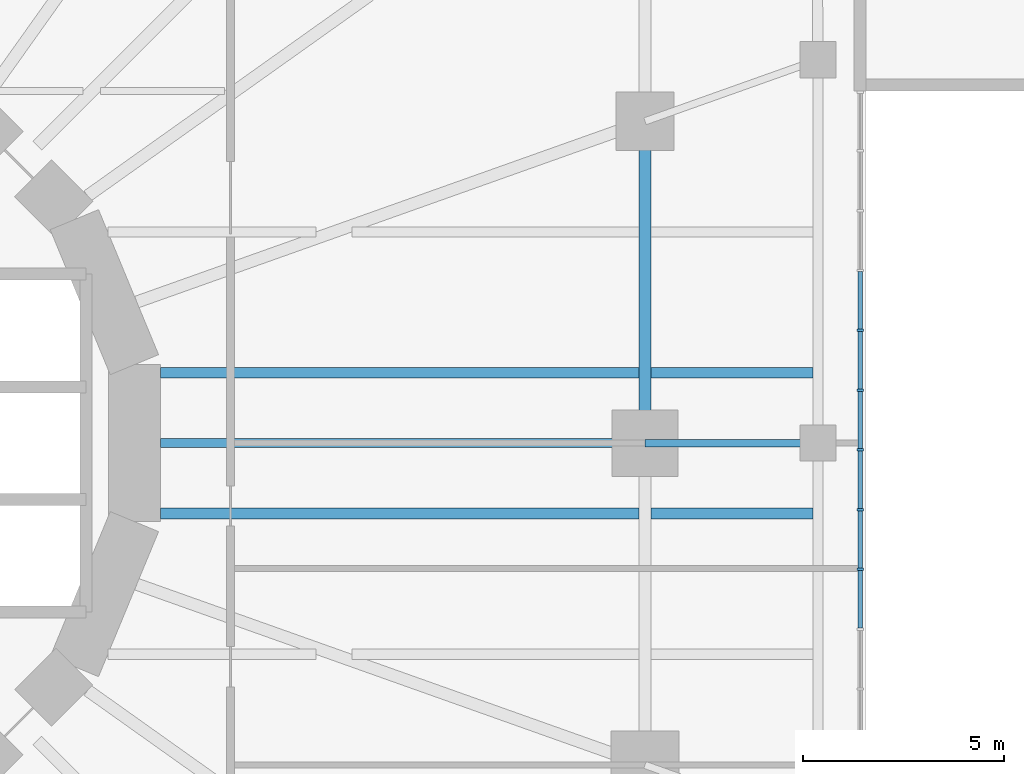
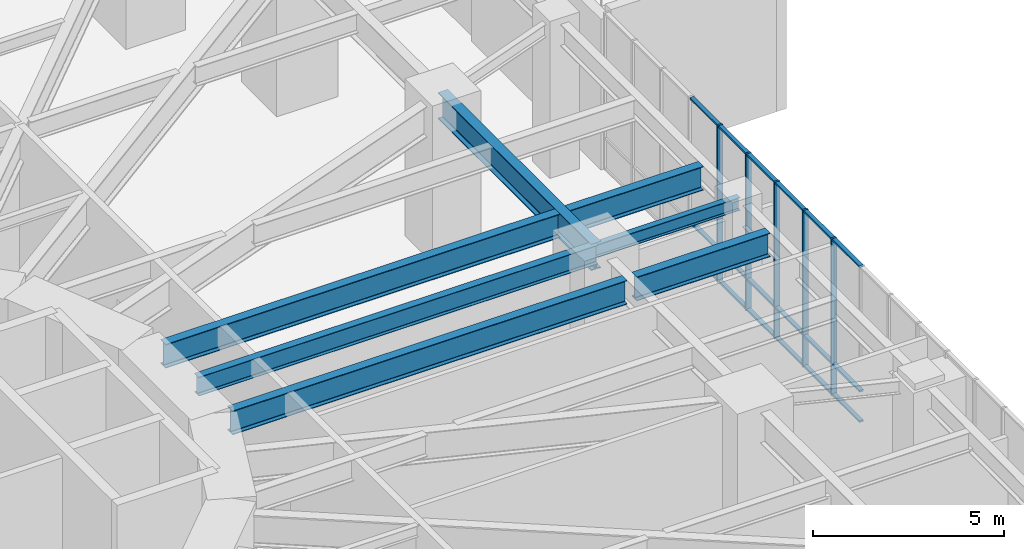
# One storey, part 8 of 24: 23 members, 7 beams, 1 element without a shape of its own.
"""IFC4 building model written with IfcOpenShell, lengths in metres."""

import ifcopenshell
import ifcopenshell.guid

model = None  # the IFC model being written
_history = None  # IfcOwnerHistory: only IFC2X3 demands one
_inside = {}  # id of a spatial element -> (the spatial element, [elements in it])
_under = {}  # id of a project, library or spatial element -> (it, [spatial elements below it])
_declared = {}  # id of a project -> (the project, [libraries it declares])
_typed = {}  # id of a type object -> (the type object, [elements of that type])
_made_of = {}  # id of a material, layer set ... -> (it, [elements and type objects made of it])


def new_model(schema):
    """Start an empty IFC model of exactly this schema.

    Asked for "IFC4X3", IfcOpenShell would pick the latest addendum, in which some entities
    have other attributes; the version numbers below select the first issue.
    IFC2X3 requires an IfcOwnerHistory on every rooted entity: one is made here for all.
    """
    global model, _history
    if schema == "IFC4X3":
        model = ifcopenshell.file(schema_version=(4, 3, 0, 0))
    else:
        model = ifcopenshell.file(schema=schema)
    _inside.clear()
    _under.clear()
    _declared.clear()
    _typed.clear()
    _made_of.clear()
    _history = None
    if model.schema == "IFC2X3":
        org = make("IfcOrganization", Name="unknown")
        user = make(
            "IfcPersonAndOrganization",
            ThePerson=make("IfcPerson", FamilyName="unknown"),
            TheOrganization=org,
        )
        app = make(
            "IfcApplication",
            ApplicationDeveloper=org,
            Version="unknown",
            ApplicationFullName="unknown",
            ApplicationIdentifier="unknown",
        )
        _history = make(
            "IfcOwnerHistory",
            OwningUser=user,
            OwningApplication=app,
            ChangeAction="ADDED",
            CreationDate=0,
        )
    return model


def make(cls, **values):
    """One entity of the class cls with the attributes given. An attribute that is None is left unset."""
    return model.create_entity(
        cls, **{name: value for name, value in values.items() if value is not None}
    )


def rooted(cls, **values):
    """An entity with a GlobalId (a new one), such as an element, a storey or a relation."""
    return make(cls, GlobalId=ifcopenshell.guid.new(), OwnerHistory=_history, **values)


def si_unit(unit_type, name, prefix=None):
    """IfcSIUnit, for example si_unit("LENGTHUNIT", "METRE", prefix="MILLI")."""
    return make("IfcSIUnit", UnitType=unit_type, Prefix=prefix, Name=name)


def assignment(units):
    """IfcUnitAssignment: the units of a project."""
    return None if units is None else make("IfcUnitAssignment", Units=units)


def point(xyz):
    """IfcCartesianPoint."""
    return None if xyz is None else make("IfcCartesianPoint", Coordinates=xyz)


def direction(xyz):
    """IfcDirection."""
    return None if xyz is None else make("IfcDirection", DirectionRatios=xyz)


def frame(location, z_axis=None, x_axis=None):
    """IfcAxis2Placement3D, a coordinate frame: its origin and axes. An axis left out is left unset."""
    return make(
        "IfcAxis2Placement3D",
        Location=point(location),
        Axis=direction(z_axis),
        RefDirection=direction(x_axis),
    )


def frame_2d(location, x_axis=None):
    """IfcAxis2Placement2D, a coordinate frame in the plane: its origin and x axis."""
    return make(
        "IfcAxis2Placement2D", Location=point(location), RefDirection=direction(x_axis)
    )


def origin():
    """The frame at (0, 0, 0) with its axes left unset."""
    return frame((0.0, 0.0, 0.0))


def origin_2d():
    """The frame at (0, 0) in the plane with its x axis left unset."""
    return frame_2d((0.0, 0.0))


def place(relative_to, where):
    """IfcLocalPlacement: puts the frame where relative to a parent placement (None: the world)."""
    return make(
        "IfcLocalPlacement", PlacementRelTo=relative_to, RelativePlacement=where
    )


def context(
    kind, dimensions, precision=None, world=None, true_north=None, identifier=None
):
    """IfcGeometricRepresentationContext, for example the 3D "Model" context."""
    return make(
        "IfcGeometricRepresentationContext",
        ContextIdentifier=identifier,
        ContextType=kind,
        CoordinateSpaceDimension=dimensions,
        Precision=precision,
        WorldCoordinateSystem=world,
        TrueNorth=true_north,
    )


def subcontext(parent, identifier, kind, view, scale=None):
    """IfcGeometricRepresentationSubContext, for example "Body" below "Model"."""
    return make(
        "IfcGeometricRepresentationSubContext",
        ContextIdentifier=identifier,
        ContextType=kind,
        ParentContext=parent,
        TargetScale=scale,
        TargetView=view,
    )


def project(units=None, contexts=None):
    """IfcProject with its units and contexts."""
    return rooted(
        "IfcProject",
        Name="project",
        RepresentationContexts=contexts,
        UnitsInContext=assignment(units),
    )


def spatial(cls, under=None, at=None, **own):
    """A site, building, storey or space (cls), placed at a placement, below another one or the project."""
    s = rooted(cls, ObjectPlacement=at, **own)
    if under is not None:
        _under.setdefault(under.id(), (under, []))[1].append(s)
    return s


def profile(cls, at=None, kind="AREA", **sizes):
    """A parametric profile (cls). Its sizes go by their IFC names, for example OverallWidth=200.0."""
    return make(cls, ProfileType=kind, Position=at, **sizes)


def rectangle(**sizes):
    """IfcRectangleProfileDef."""
    return profile("IfcRectangleProfileDef", **sizes)


def i_section(**sizes):
    """IfcIShapeProfileDef."""
    return profile("IfcIShapeProfileDef", **sizes)


def extrude(swept, where, along, depth):
    """IfcExtrudedAreaSolid: the profile swept, set in the frame where, extruded along a direction by depth."""
    return make(
        "IfcExtrudedAreaSolid",
        SweptArea=swept,
        Position=where,
        ExtrudedDirection=direction(along),
        Depth=depth,
    )


def shape(context_of_items, identifier, shape_type, items):
    """IfcShapeRepresentation: the items that make up one representation, for example the "Body"."""
    return make(
        "IfcShapeRepresentation",
        ContextOfItems=context_of_items,
        RepresentationIdentifier=identifier,
        RepresentationType=shape_type,
        Items=items,
    )


def material(Name=None, Category=None):
    """IfcMaterial."""
    return make("IfcMaterial", Name=Name, Category=Category)


def material_profile(
    of_material, cross_section, Name=None, Category=None, Priority=None
):
    """IfcMaterialProfile: a cross section and its material."""
    return make(
        "IfcMaterialProfile",
        Name=Name,
        Material=of_material,
        Profile=cross_section,
        Priority=Priority,
        Category=Category,
    )


def profile_set(profiles, Name=None, composite=None):
    """IfcMaterialProfileSet."""
    return make(
        "IfcMaterialProfileSet",
        Name=Name,
        MaterialProfiles=profiles,
        CompositeProfile=composite,
    )


def made_of(thing, what):
    """Note that an element or type object is made of a material, layer set ...; save() writes the relation."""
    if what is not None:
        _made_of.setdefault(what.id(), (what, []))[1].append(thing)
    return thing


def type_object(cls, material=None, **own):
    """A type object (cls), such as IfcWallType, which elements share."""
    return made_of(rooted(cls, **own), material)


def element(
    cls,
    number,
    at=None,
    inside=None,
    cuts=None,
    type_object=None,
    material=None,
    context=None,
    identifier="Body",
    shape_type=None,
    held_by="IfcProductDefinitionShape",
    body=None,
    shapes=None,
    **own,
):
    """One element of the class cls, such as IfcWall. Its Tag is "e" and its number.

    at: its placement. inside: the storey or other place that contains it. cuts: it is an
    opening in that element (IfcRelVoidsElement). A single representation is given by context,
    identifier, shape_type and body (its items); several are given by shapes. held_by: the class
    of the entity that holds the representations. save() writes the other relations.
    """
    e = rooted(cls, Tag="e%d" % number, ObjectPlacement=at, **own)
    if body is not None:
        shapes = [shape(context, identifier, shape_type, body)]
    if shapes is not None:
        e.Representation = make(held_by, Representations=shapes)
    if inside is not None:
        _inside.setdefault(inside.id(), (inside, []))[1].append(e)
    if cuts is not None:
        rooted(
            "IfcRelVoidsElement", RelatingBuildingElement=cuts, RelatedOpeningElement=e
        )
    if type_object is not None:
        _typed.setdefault(type_object.id(), (type_object, []))[1].append(e)
    return made_of(e, material)


def aggregate(whole, parts):
    """IfcRelAggregates: a whole, such as a stair, and the parts it consists of."""
    return rooted("IfcRelAggregates", RelatingObject=whole, RelatedObjects=parts)


def save(model, path):
    """Write the relations noted so far, then the file.

    IfcRelAggregates (storeys below a building ...), IfcRelContainedInSpatialStructure (elements
    in a storey), IfcRelDefinesByType, IfcRelAssociatesMaterial and IfcRelDeclares: one each for
    every whole, place, type object, material and project.
    """
    for whole, parts in _under.values():
        aggregate(whole, parts)
    for where, things in _inside.values():
        rooted(
            "IfcRelContainedInSpatialStructure",
            RelatedElements=things,
            RelatingStructure=where,
        )
    for kind, things in _typed.values():
        rooted("IfcRelDefinesByType", RelatedObjects=things, RelatingType=kind)
    for what, things in _made_of.values():
        rooted("IfcRelAssociatesMaterial", RelatedObjects=things, RelatingMaterial=what)
    for by, libraries in _declared.values():
        rooted("IfcRelDeclares", RelatingContext=by, RelatedDefinitions=libraries)
    model.write(path)


model = new_model("IFC4")

# Units and contexts
model_context = context("Model", 3, precision=1e-05, world=origin(), true_north=direction((0.0, 1.0)))
body_context = subcontext(model_context, "Body", "Model", "MODEL_VIEW")
ifc_project = project(units=[si_unit("LENGTHUNIT", "METRE"), si_unit("AREAUNIT", "SQUARE_METRE"), si_unit("VOLUMEUNIT", "CUBIC_METRE"), si_unit("PLANEANGLEUNIT", "RADIAN"), si_unit("MASSUNIT", "GRAM", prefix="KILO")], contexts=[model_context])

# Site, building, storey
site_placement = place(None, origin())
site = spatial("IfcSite", under=ifc_project, at=site_placement, CompositionType="ELEMENT")
building_placement = place(site_placement, origin())
building = spatial("IfcBuilding", under=site, at=building_placement, Name="Nakasero Lantern House", CompositionType="ELEMENT")
storey_placement = place(building_placement, frame((0.0, 0.0, 6.0)))
storey = spatial("IfcBuildingStorey", under=building, at=storey_placement, Name="L01", CompositionType="ELEMENT", Elevation=6.0)

# Beams
ifc_material_1 = material(Name="Steel S355", Category="steel")
ifc_material_profile_1 = material_profile(ifc_material_1, i_section(OverallWidth=0.2666015625, OverallDepth=0.76220703125, WebThickness=0.014404296875, FlangeThickness=0.021484375, FilletRadius=0.0166015625, at=origin_2d()), Name="UB 762x267x173")
ifc_profile_set_1 = profile_set([ifc_material_profile_1], Name="Steel S355")
beam_type_1 = type_object("IfcBeamType", Name="Infill beam UB 762x267x173", PredefinedType="JOIST", material=ifc_profile_set_1)
beam_1_placement = place(storey_placement, frame((10.457763671875, -1.75, 4.4189453125), z_axis=(1.0, 0.0, 0.0), x_axis=(0.0, 1.0, 0.0)))
element("IfcBeam", 1, at=beam_1_placement, inside=storey, type_object=beam_type_1, Name="Infill beam L02 08.3", PredefinedType="JOIST", context=body_context, shape_type="SweptSolid", body=[
    extrude(i_section(OverallWidth=0.2666015625, OverallDepth=0.76220703125, WebThickness=0.014404296875, FlangeThickness=0.021484375, FilletRadius=0.0166015625, at=origin_2d()), origin(), (0.0, 0.0, 1.0), 11.89599609375),
])
beam_2_placement = place(storey_placement, frame((22.646240234375, -1.75, 4.4189453125), z_axis=(1.0, 0.0, 0.0), x_axis=(0.0, 1.0, 0.0)))
element("IfcBeam", 2, at=beam_2_placement, inside=storey, type_object=beam_type_1, Name="Infill beam L02 08.4", PredefinedType="JOIST", context=body_context, shape_type="SweptSolid", body=[
    extrude(i_section(OverallWidth=0.2666015625, OverallDepth=0.76220703125, WebThickness=0.014404296875, FlangeThickness=0.021484375, FilletRadius=0.0166015625, at=origin_2d()), origin(), (0.0, 0.0, 1.0), 4.02587890625),
])
beam_3_placement = place(storey_placement, frame((10.457763671875, 1.75, 4.4189453125), z_axis=(1.0, 0.0, 0.0), x_axis=(0.0, 1.0, 0.0)))
element("IfcBeam", 3, at=beam_3_placement, inside=storey, type_object=beam_type_1, Name="Infill beam L02 09.3", PredefinedType="JOIST", context=body_context, shape_type="SweptSolid", body=[
    extrude(i_section(OverallWidth=0.2666015625, OverallDepth=0.76220703125, WebThickness=0.014404296875, FlangeThickness=0.021484375, FilletRadius=0.0166015625, at=origin_2d()), origin(), (0.0, 0.0, 1.0), 11.89599609375),
])
beam_4_placement = place(storey_placement, frame((22.646240234375, 1.75, 4.4189453125), z_axis=(1.0, 0.0, 0.0), x_axis=(0.0, 1.0, 0.0)))
element("IfcBeam", 4, at=beam_4_placement, inside=storey, type_object=beam_type_1, Name="Infill beam L02 09.4", PredefinedType="JOIST", context=body_context, shape_type="SweptSolid", body=[
    extrude(i_section(OverallWidth=0.2666015625, OverallDepth=0.76220703125, WebThickness=0.014404296875, FlangeThickness=0.021484375, FilletRadius=0.0166015625, at=origin_2d()), origin(), (0.0, 0.0, 1.0), 4.02587890625),
])

# Curtain wall, members
ifc_material_2 = material(Name="Aluminium 6063-T6 and glass", Category="aluminium")
curtain_wall_type = type_object("IfcCurtainWallType", Name="Podium curtain wall CW-2", PredefinedType="USERDEFINED", material=ifc_material_2)
curtain_wall_placement = place(storey_placement, origin())
curtain_wall = element("IfcCurtainWall", 5, at=curtain_wall_placement, inside=storey, type_object=curtain_wall_type, Name="Curtain wall CW-2 L01", ObjectType="STICK CURTAIN WALL", PredefinedType="USERDEFINED")
ifc_material_3 = material(Name="Aluminium 6063-T6", Category="aluminium")
ifc_material_profile_2 = material_profile(ifc_material_3, rectangle(XDim=0.06005859375, YDim=0.159912109375, at=origin_2d()), Name="CW-2 mullion 60x160")
ifc_profile_set_2 = profile_set([ifc_material_profile_2], Name="Aluminium 6063-T6")
member_type_1 = type_object("IfcMemberType", Name="Mullion CW-2", PredefinedType="MULLION", material=ifc_profile_set_2)
member_1_placement = place(storey_placement, frame((27.85009765625, -3.138916015625, 0.0), z_axis=(0.0, 0.0, 1.0), x_axis=(0.0, 1.0, 0.0)))
member_1 = element("IfcMember", 6, at=member_1_placement, type_object=member_type_1, Name="CW-2 mullion 11", PredefinedType="MULLION", context=body_context, shape_type="SweptSolid", body=[
    extrude(rectangle(XDim=0.06005859375, YDim=0.159912109375, at=origin_2d()), origin(), (0.0, 0.0, 1.0), 5.0),
])
member_2_placement = place(storey_placement, frame((27.85009765625, -1.65283203125, 0.0), z_axis=(0.0, 0.0, 1.0), x_axis=(0.0, 1.0, 0.0)))
member_2 = element("IfcMember", 7, at=member_2_placement, type_object=member_type_1, Name="CW-2 mullion 12", PredefinedType="MULLION", context=body_context, shape_type="SweptSolid", body=[
    extrude(rectangle(XDim=0.06005859375, YDim=0.159912109375, at=origin_2d()), origin(), (0.0, 0.0, 1.0), 5.0),
])
member_3_placement = place(storey_placement, frame((27.85009765625, -0.166748046875, 0.0), z_axis=(0.0, 0.0, 1.0), x_axis=(0.0, 1.0, 0.0)))
member_3 = element("IfcMember", 8, at=member_3_placement, type_object=member_type_1, Name="CW-2 mullion 13", PredefinedType="MULLION", context=body_context, shape_type="SweptSolid", body=[
    extrude(rectangle(XDim=0.06005859375, YDim=0.159912109375, at=origin_2d()), origin(), (0.0, 0.0, 1.0), 5.0),
])
member_4_placement = place(storey_placement, frame((27.85009765625, 1.3193359375, 0.0), z_axis=(0.0, 0.0, 1.0), x_axis=(0.0, 1.0, 0.0)))
member_4 = element("IfcMember", 9, at=member_4_placement, type_object=member_type_1, Name="CW-2 mullion 14", PredefinedType="MULLION", context=body_context, shape_type="SweptSolid", body=[
    extrude(rectangle(XDim=0.06005859375, YDim=0.159912109375, at=origin_2d()), origin(), (0.0, 0.0, 1.0), 5.0),
])
member_5_placement = place(storey_placement, frame((27.85009765625, 2.8056640625, 0.0), z_axis=(0.0, 0.0, 1.0), x_axis=(0.0, 1.0, 0.0)))
member_5 = element("IfcMember", 10, at=member_5_placement, type_object=member_type_1, Name="CW-2 mullion 15", PredefinedType="MULLION", context=body_context, shape_type="SweptSolid", body=[
    extrude(rectangle(XDim=0.06005859375, YDim=0.159912109375, at=origin_2d()), origin(), (0.0, 0.0, 1.0), 5.0),
])

# Beams
ifc_material_4 = material(Name="Steel S355", Category="steel")
ifc_material_profile_3 = material_profile(ifc_material_4, i_section(OverallWidth=0.179443359375, OverallDepth=0.412841796875, WebThickness=0.009521484375, FlangeThickness=0.01611328125, FilletRadius=0.01025390625, at=origin_2d()), Name="UB 406x178x74")
ifc_profile_set_3 = profile_set([ifc_material_profile_3], Name="Steel S355")
beam_type_2 = type_object("IfcBeamType", Name="Primary beam UB 406x178x74, span to 6 m", PredefinedType="BEAM", material=ifc_profile_set_3)
beam_5_placement = place(storey_placement, frame((26.800048828125, 0.0, 4.593505859375), z_axis=(-1.0, 0.0, 0.0), x_axis=(0.0, -1.0, 0.0)))
element("IfcBeam", 11, at=beam_5_placement, inside=storey, type_object=beam_type_2, Name="Primary beam L02 POD-C03", PredefinedType="BEAM", context=body_context, shape_type="SweptSolid", body=[
    extrude(i_section(OverallWidth=0.179443359375, OverallDepth=0.412841796875, WebThickness=0.009521484375, FlangeThickness=0.01611328125, FilletRadius=0.01025390625, at=origin_2d()), origin(), (0.0, 0.0, 1.0), 4.300048828125),
])
ifc_material_5 = material(Name="Steel S355", Category="steel")
ifc_material_profile_4 = material_profile(ifc_material_5, i_section(OverallWidth=0.2275390625, OverallDepth=0.6025390625, WebThickness=0.010498046875, FlangeThickness=0.014892578125, FilletRadius=0.0126953125, at=origin_2d()), Name="UB 610x229x101")
ifc_profile_set_4 = profile_set([ifc_material_profile_4], Name="Steel S355")
beam_type_3 = type_object("IfcBeamType", Name="Primary beam UB 610x229x101, span 12 to 15 m", PredefinedType="BEAM", material=ifc_profile_set_4)
beam_6_placement = place(storey_placement, frame((22.5, 0.0, 4.498779296875), z_axis=(-1.0, 0.0, 0.0), x_axis=(0.0, -1.0, 0.0)))
element("IfcBeam", 12, at=beam_6_placement, inside=storey, type_object=beam_type_3, Name="Primary beam L02 B1-C03", PredefinedType="BEAM", context=body_context, shape_type="SweptSolid", body=[
    extrude(i_section(OverallWidth=0.2275390625, OverallDepth=0.6025390625, WebThickness=0.010498046875, FlangeThickness=0.014892578125, FilletRadius=0.0126953125, at=origin_2d()), origin(), (0.0, 0.0, 1.0), 12.042236328125),
])
ifc_material_6 = material(Name="Steel S355", Category="steel")
ifc_material_profile_5 = material_profile(ifc_material_6, i_section(OverallWidth=0.29248046875, OverallDepth=0.8408203125, WebThickness=0.0146484375, FlangeThickness=0.02685546875, FilletRadius=0.017822265625, at=origin_2d()), Name="UB 838x292x194")
ifc_profile_set_5 = profile_set([ifc_material_profile_5], Name="Steel S355")
beam_type_4 = type_object("IfcBeamType", Name="Ring beam UB 838x292x194", PredefinedType="BEAM", material=ifc_profile_set_5)
beam_7_placement = place(storey_placement, frame((22.5, 0.0, 4.379638671875), z_axis=(0.0, 1.0, 0.0), x_axis=(-1.0, 0.0, 0.0)))
element("IfcBeam", 13, at=beam_7_placement, inside=storey, type_object=beam_type_4, Name="Ring beam L02 B1-C03", PredefinedType="BEAM", context=body_context, shape_type="SweptSolid", body=[
    extrude(i_section(OverallWidth=0.29248046875, OverallDepth=0.8408203125, WebThickness=0.0146484375, FlangeThickness=0.02685546875, FilletRadius=0.017822265625, at=origin_2d()), origin(), (0.0, 0.0, 1.0), 8.0),
])

# Member
ifc_material_7 = material(Name="Aluminium 6063-T6", Category="aluminium")
ifc_material_profile_6 = material_profile(ifc_material_7, rectangle(XDim=0.06005859375, YDim=0.1201171875, at=origin_2d()), Name="CW-2 transom 60x120")
ifc_profile_set_6 = profile_set([ifc_material_profile_6], Name="Aluminium 6063-T6")
member_type_2 = type_object("IfcMemberType", Name="Transom CW-2", PredefinedType="USERDEFINED", material=ifc_profile_set_6)
member_6_placement = place(storey_placement, frame((27.85009765625, -4.594970703125, 0.030029296875), z_axis=(0.0, 1.0, 0.0), x_axis=(0.0, 0.0, 1.0)))
member_6 = element("IfcMember", 14, at=member_6_placement, type_object=member_type_2, Name="CW-2 transom 10.1", ObjectType="TRANSOM", PredefinedType="USERDEFINED", context=body_context, shape_type="SweptSolid", body=[
    extrude(rectangle(XDim=0.06005859375, YDim=0.1201171875, at=origin_2d()), origin(), (0.0, 0.0, 1.0), 1.426025390625),
])

member_7_placement = place(storey_placement, frame((27.85009765625, -4.594970703125, 1.0), z_axis=(0.0, 1.0, 0.0), x_axis=(0.0, 0.0, 1.0)))
member_7 = element("IfcMember", 15, at=member_7_placement, type_object=member_type_2, Name="CW-2 transom 10.2", ObjectType="TRANSOM", PredefinedType="USERDEFINED", context=body_context, shape_type="SweptSolid", body=[
    extrude(rectangle(XDim=0.06005859375, YDim=0.1201171875, at=origin_2d()), origin(), (0.0, 0.0, 1.0), 1.426025390625),
])

member_8_placement = place(storey_placement, frame((27.85009765625, -4.594970703125, 4.969970703125), z_axis=(0.0, 1.0, 0.0), x_axis=(0.0, 0.0, 1.0)))
member_8 = element("IfcMember", 16, at=member_8_placement, type_object=member_type_2, Name="CW-2 transom 10.3", ObjectType="TRANSOM", PredefinedType="USERDEFINED", context=body_context, shape_type="SweptSolid", body=[
    extrude(rectangle(XDim=0.06005859375, YDim=0.1201171875, at=origin_2d()), origin(), (0.0, 0.0, 1.0), 1.426025390625),
])

member_9_placement = place(storey_placement, frame((27.85009765625, -3.10888671875, 0.030029296875), z_axis=(0.0, 1.0, 0.0), x_axis=(0.0, 0.0, 1.0)))
member_9 = element("IfcMember", 17, at=member_9_placement, type_object=member_type_2, Name="CW-2 transom 11.1", ObjectType="TRANSOM", PredefinedType="USERDEFINED", context=body_context, shape_type="SweptSolid", body=[
    extrude(rectangle(XDim=0.06005859375, YDim=0.1201171875, at=origin_2d()), origin(), (0.0, 0.0, 1.0), 1.426025390625),
])

member_10_placement = place(storey_placement, frame((27.85009765625, -3.10888671875, 1.0), z_axis=(0.0, 1.0, 0.0), x_axis=(0.0, 0.0, 1.0)))
member_10 = element("IfcMember", 18, at=member_10_placement, type_object=member_type_2, Name="CW-2 transom 11.2", ObjectType="TRANSOM", PredefinedType="USERDEFINED", context=body_context, shape_type="SweptSolid", body=[
    extrude(rectangle(XDim=0.06005859375, YDim=0.1201171875, at=origin_2d()), origin(), (0.0, 0.0, 1.0), 1.426025390625),
])

member_11_placement = place(storey_placement, frame((27.85009765625, -3.10888671875, 4.969970703125), z_axis=(0.0, 1.0, 0.0), x_axis=(0.0, 0.0, 1.0)))
member_11 = element("IfcMember", 19, at=member_11_placement, type_object=member_type_2, Name="CW-2 transom 11.3", ObjectType="TRANSOM", PredefinedType="USERDEFINED", context=body_context, shape_type="SweptSolid", body=[
    extrude(rectangle(XDim=0.06005859375, YDim=0.1201171875, at=origin_2d()), origin(), (0.0, 0.0, 1.0), 1.426025390625),
])

member_12_placement = place(storey_placement, frame((27.85009765625, -1.622802734375, 0.030029296875), z_axis=(0.0, 1.0, 0.0), x_axis=(0.0, 0.0, 1.0)))
member_12 = element("IfcMember", 20, at=member_12_placement, type_object=member_type_2, Name="CW-2 transom 12.1", ObjectType="TRANSOM", PredefinedType="USERDEFINED", context=body_context, shape_type="SweptSolid", body=[
    extrude(rectangle(XDim=0.06005859375, YDim=0.1201171875, at=origin_2d()), origin(), (0.0, 0.0, 1.0), 1.426025390625),
])

member_13_placement = place(storey_placement, frame((27.85009765625, -1.622802734375, 1.0), z_axis=(0.0, 1.0, 0.0), x_axis=(0.0, 0.0, 1.0)))
member_13 = element("IfcMember", 21, at=member_13_placement, type_object=member_type_2, Name="CW-2 transom 12.2", ObjectType="TRANSOM", PredefinedType="USERDEFINED", context=body_context, shape_type="SweptSolid", body=[
    extrude(rectangle(XDim=0.06005859375, YDim=0.1201171875, at=origin_2d()), origin(), (0.0, 0.0, 1.0), 1.426025390625),
])

member_14_placement = place(storey_placement, frame((27.85009765625, -1.622802734375, 4.969970703125), z_axis=(0.0, 1.0, 0.0), x_axis=(0.0, 0.0, 1.0)))
member_14 = element("IfcMember", 22, at=member_14_placement, type_object=member_type_2, Name="CW-2 transom 12.3", ObjectType="TRANSOM", PredefinedType="USERDEFINED", context=body_context, shape_type="SweptSolid", body=[
    extrude(rectangle(XDim=0.06005859375, YDim=0.1201171875, at=origin_2d()), origin(), (0.0, 0.0, 1.0), 1.426025390625),
])

member_15_placement = place(storey_placement, frame((27.85009765625, -0.13671875, 0.030029296875), z_axis=(0.0, 1.0, 0.0), x_axis=(0.0, 0.0, 1.0)))
member_15 = element("IfcMember", 23, at=member_15_placement, type_object=member_type_2, Name="CW-2 transom 13.1", ObjectType="TRANSOM", PredefinedType="USERDEFINED", context=body_context, shape_type="SweptSolid", body=[
    extrude(rectangle(XDim=0.06005859375, YDim=0.1201171875, at=origin_2d()), origin(), (0.0, 0.0, 1.0), 1.42626953125),
])

member_16_placement = place(storey_placement, frame((27.85009765625, -0.13671875, 1.0), z_axis=(0.0, 1.0, 0.0), x_axis=(0.0, 0.0, 1.0)))
member_16 = element("IfcMember", 24, at=member_16_placement, type_object=member_type_2, Name="CW-2 transom 13.2", ObjectType="TRANSOM", PredefinedType="USERDEFINED", context=body_context, shape_type="SweptSolid", body=[
    extrude(rectangle(XDim=0.06005859375, YDim=0.1201171875, at=origin_2d()), origin(), (0.0, 0.0, 1.0), 1.42626953125),
])

member_17_placement = place(storey_placement, frame((27.85009765625, -0.13671875, 4.969970703125), z_axis=(0.0, 1.0, 0.0), x_axis=(0.0, 0.0, 1.0)))
member_17 = element("IfcMember", 25, at=member_17_placement, type_object=member_type_2, Name="CW-2 transom 13.3", ObjectType="TRANSOM", PredefinedType="USERDEFINED", context=body_context, shape_type="SweptSolid", body=[
    extrude(rectangle(XDim=0.06005859375, YDim=0.1201171875, at=origin_2d()), origin(), (0.0, 0.0, 1.0), 1.42626953125),
])

member_18_placement = place(storey_placement, frame((27.85009765625, 1.349365234375, 0.030029296875), z_axis=(0.0, 1.0, 0.0), x_axis=(0.0, 0.0, 1.0)))
member_18 = element("IfcMember", 26, at=member_18_placement, type_object=member_type_2, Name="CW-2 transom 14.1", ObjectType="TRANSOM", PredefinedType="USERDEFINED", context=body_context, shape_type="SweptSolid", body=[
    extrude(rectangle(XDim=0.06005859375, YDim=0.1201171875, at=origin_2d()), origin(), (0.0, 0.0, 1.0), 1.42626953125),
])

member_19_placement = place(storey_placement, frame((27.85009765625, 1.349365234375, 1.0), z_axis=(0.0, 1.0, 0.0), x_axis=(0.0, 0.0, 1.0)))
member_19 = element("IfcMember", 27, at=member_19_placement, type_object=member_type_2, Name="CW-2 transom 14.2", ObjectType="TRANSOM", PredefinedType="USERDEFINED", context=body_context, shape_type="SweptSolid", body=[
    extrude(rectangle(XDim=0.06005859375, YDim=0.1201171875, at=origin_2d()), origin(), (0.0, 0.0, 1.0), 1.42626953125),
])

member_20_placement = place(storey_placement, frame((27.85009765625, 1.349365234375, 4.969970703125), z_axis=(0.0, 1.0, 0.0), x_axis=(0.0, 0.0, 1.0)))
member_20 = element("IfcMember", 28, at=member_20_placement, type_object=member_type_2, Name="CW-2 transom 14.3", ObjectType="TRANSOM", PredefinedType="USERDEFINED", context=body_context, shape_type="SweptSolid", body=[
    extrude(rectangle(XDim=0.06005859375, YDim=0.1201171875, at=origin_2d()), origin(), (0.0, 0.0, 1.0), 1.42626953125),
])

member_21_placement = place(storey_placement, frame((27.85009765625, 2.83544921875, 0.030029296875), z_axis=(0.0, 1.0, 0.0), x_axis=(0.0, 0.0, 1.0)))
member_21 = element("IfcMember", 29, at=member_21_placement, type_object=member_type_2, Name="CW-2 transom 15.1", ObjectType="TRANSOM", PredefinedType="USERDEFINED", context=body_context, shape_type="SweptSolid", body=[
    extrude(rectangle(XDim=0.06005859375, YDim=0.1201171875, at=origin_2d()), origin(), (0.0, 0.0, 1.0), 1.42626953125),
])

member_22_placement = place(storey_placement, frame((27.85009765625, 2.83544921875, 1.0), z_axis=(0.0, 1.0, 0.0), x_axis=(0.0, 0.0, 1.0)))
member_22 = element("IfcMember", 30, at=member_22_placement, type_object=member_type_2, Name="CW-2 transom 15.2", ObjectType="TRANSOM", PredefinedType="USERDEFINED", context=body_context, shape_type="SweptSolid", body=[
    extrude(rectangle(XDim=0.06005859375, YDim=0.1201171875, at=origin_2d()), origin(), (0.0, 0.0, 1.0), 1.42626953125),
])

member_23_placement = place(storey_placement, frame((27.85009765625, 2.83544921875, 4.969970703125), z_axis=(0.0, 1.0, 0.0), x_axis=(0.0, 0.0, 1.0)))
member_23 = element("IfcMember", 31, at=member_23_placement, type_object=member_type_2, Name="CW-2 transom 15.3", ObjectType="TRANSOM", PredefinedType="USERDEFINED", context=body_context, shape_type="SweptSolid", body=[
    extrude(rectangle(XDim=0.06005859375, YDim=0.1201171875, at=origin_2d()), origin(), (0.0, 0.0, 1.0), 1.42626953125),
])

aggregate(curtain_wall, [member_1, member_2, member_3, member_4, member_5, member_6, member_7, member_8, member_9, member_10, member_11, member_12, member_13, member_14, member_15, member_16, member_17, member_18, member_19, member_20, member_21, member_22, member_23])

save(model, "model.ifc")
